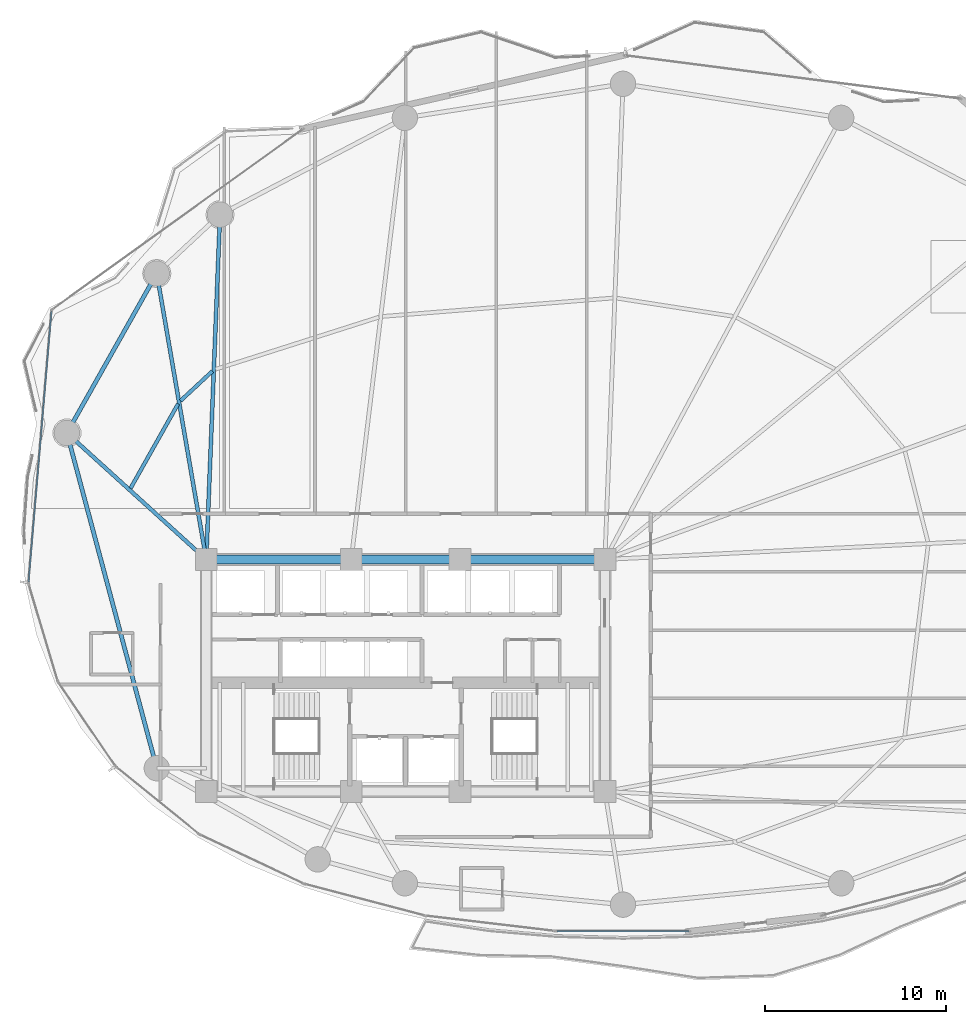
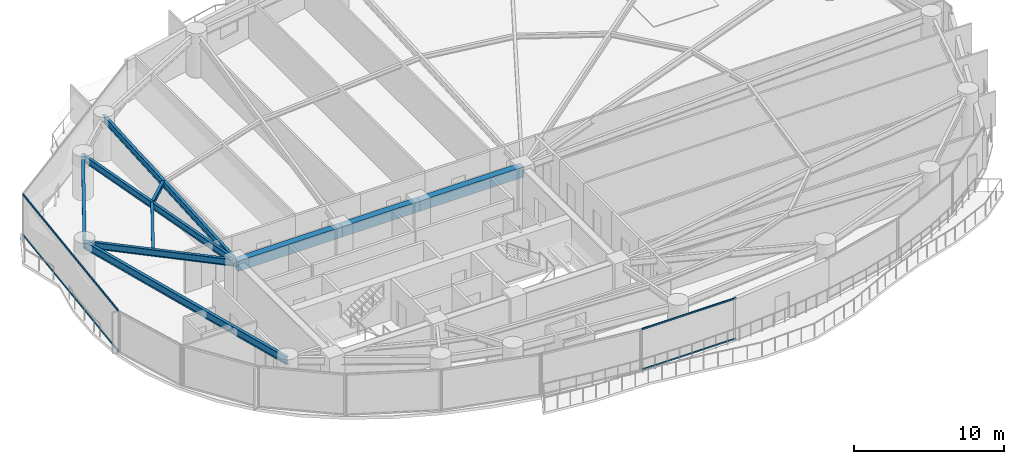
# One storey, part 9 of 30: 10 beams, 4 members, 2 elements without a shape of their own.
"""IFC4 building model written with IfcOpenShell, lengths in metres."""

from ifc_helpers import new_model, si_unit, direction, frame, origin, origin_2d, place, context, subcontext, project, spatial, rectangle, hollow_rectangle, i_section, extrude, material, layer, layer_set, material_profile, profile_set, type_object, element, aggregate, save


model = new_model("IFC4")

# Units and contexts
model_context = context("Model", 3, precision=1e-05, world=origin(), true_north=direction((0.0, 1.0)))
body_context = subcontext(model_context, "Body", "Model", "MODEL_VIEW")
ifc_project = project(units=[si_unit("LENGTHUNIT", "METRE"), si_unit("AREAUNIT", "SQUARE_METRE"), si_unit("VOLUMEUNIT", "CUBIC_METRE"), si_unit("PLANEANGLEUNIT", "RADIAN"), si_unit("MASSUNIT", "GRAM", prefix="KILO")], contexts=[model_context])

# Site, building, storey
site_placement = place(None, origin())
site = spatial("IfcSite", under=ifc_project, at=site_placement, CompositionType="ELEMENT")
building_placement = place(site_placement, origin())
building = spatial("IfcBuilding", under=site, at=building_placement, Name="Kazevale Care Tower and Concert Hall", CompositionType="ELEMENT")
storey_placement = place(building_placement, frame((0.0, 0.0, 70.800048828125)))
storey = spatial("IfcBuildingStorey", under=building, at=storey_placement, Name="L18", CompositionType="ELEMENT", Elevation=70.800048828125)

# Curtain wall, members
ifc_material_1 = material(Name="Aluminium 6063-T6 and Low-E Glass", Category="aluminium")
ifc_layer_1 = layer(ifc_material_1, 0.179931640625)
ifc_layer_set_1 = layer_set([ifc_layer_1], Name="Aluminium 6063-T6 and Low-E Glass")
curtain_wall_type_1 = type_object("IfcCurtainWallType", Name="Waist & Upper Residential Curtain Wall CW-4", PredefinedType="NOTDEFINED", material=ifc_layer_set_1)
curtain_wall_1_placement = place(storey_placement, origin())
curtain_wall_1 = element("IfcCurtainWall", 1, at=curtain_wall_1_placement, inside=storey, type_object=curtain_wall_type_1, Name="cw:L18:f13", PredefinedType="NOTDEFINED")
ifc_material_2 = material(Name="Aluminium 6063-T6", Category="aluminium")
ifc_material_profile_1 = material_profile(ifc_material_2, hollow_rectangle(XDim=0.080078125, YDim=0.139892578125, WallThickness=0.00390625, at=origin_2d()), Name="ALU80x140x4")
ifc_profile_set_1 = profile_set([ifc_material_profile_1], Name="Aluminium 6063-T6")
member_type_1 = type_object("IfcMemberType", Name="CW-4 Transom ALU80x140x4", PredefinedType="USERDEFINED", material=ifc_profile_set_1)
member_1_placement = place(storey_placement, frame((12.19384765625, 35.170654296875, 0.0400390625), z_axis=(0.084408766115, 0.996431211977, 0.0), x_axis=(-0.996431211977, 0.084408766115, 0.0)))
member_1 = element("IfcMember", 2, at=member_1_placement, type_object=member_type_1, Name="CW-4 transom 1.1", ObjectType="TRANSOM", PredefinedType="USERDEFINED", context=body_context, shape_type="SweptSolid", body=[
    extrude(hollow_rectangle(XDim=0.080078125, YDim=0.139892578125, WallThickness=0.00390625, at=origin_2d()), origin(), (0.0, 0.0, 1.0), 14.968017578125),
])
member_2_placement = place(storey_placement, frame((12.19384765625, 35.170654296875, 3.320068359375), z_axis=(0.084408766115, 0.996431211977, 0.0), x_axis=(-0.996431211977, 0.084408766115, 0.0)))
member_2 = element("IfcMember", 3, at=member_2_placement, type_object=member_type_1, Name="CW-4 transom 1.2", ObjectType="TRANSOM", PredefinedType="USERDEFINED", context=body_context, shape_type="SweptSolid", body=[
    extrude(hollow_rectangle(XDim=0.080078125, YDim=0.139892578125, WallThickness=0.00390625, at=origin_2d()), origin(), (0.0, 0.0, 1.0), 14.968017578125),
])
aggregate(curtain_wall_1, [member_1, member_2])

ifc_layer_2 = layer(ifc_material_1, 0.179931640625)
ifc_layer_set_2 = layer_set([ifc_layer_2], Name="Aluminium 6063-T6 and Low-E Glass")
curtain_wall_type_2 = type_object("IfcCurtainWallType", Name="Sheltered Concave Balcony Curtain Wall CW-5", PredefinedType="NOTDEFINED", material=ifc_layer_set_2)
curtain_wall_2_placement = place(storey_placement, origin())
curtain_wall_2 = element("IfcCurtainWall", 4, at=curtain_wall_2_placement, inside=storey, type_object=curtain_wall_type_2, Name="cw:L18:f06", PredefinedType="NOTDEFINED")
ifc_material_profile_2 = material_profile(ifc_material_2, hollow_rectangle(XDim=0.074951171875, YDim=0.1201171875, WallThickness=0.00390625, at=origin_2d()), Name="ALU75x120x4")
ifc_profile_set_2 = profile_set([ifc_material_profile_2], Name="Aluminium 6063-T6")
member_type_2 = type_object("IfcMemberType", Name="CW-5 Transom ALU75x120x4", PredefinedType="USERDEFINED", material=ifc_profile_set_2)
member_3_placement = place(storey_placement, frame((48.632080078125, 15.885986328125, 0.037353515625), z_axis=(-1.0, 0.0, 0.0), x_axis=(0.0, -1.0, 0.0)))
member_3 = element("IfcMember", 5, at=member_3_placement, type_object=member_type_2, Name="CW-5 transom 1.1", ObjectType="TRANSOM", PredefinedType="USERDEFINED", context=body_context, shape_type="SweptSolid", body=[
    extrude(hollow_rectangle(XDim=0.074951171875, YDim=0.1201171875, WallThickness=0.00390625, at=origin_2d()), origin(), (0.0, 0.0, 1.0), 7.26416015625),
])
member_4_placement = place(storey_placement, frame((48.632080078125, 15.885986328125, 3.322509765625), z_axis=(-1.0, 0.0, 0.0), x_axis=(0.0, -1.0, 0.0)))
member_4 = element("IfcMember", 6, at=member_4_placement, type_object=member_type_2, Name="CW-5 transom 1.2", ObjectType="TRANSOM", PredefinedType="USERDEFINED", context=body_context, shape_type="SweptSolid", body=[
    extrude(hollow_rectangle(XDim=0.074951171875, YDim=0.1201171875, WallThickness=0.00390625, at=origin_2d()), origin(), (0.0, 0.0, 1.0), 7.26416015625),
])
aggregate(curtain_wall_2, [member_3, member_4])

# Beams
ifc_material_3 = material(Name="Concrete C60", Category="concrete")
ifc_material_profile_3 = material_profile(ifc_material_3, rectangle(XDim=0.5, YDim=0.85009765625, at=origin_2d()), Name="RC-B500x850")
ifc_profile_set_3 = profile_set([ifc_material_profile_3], Name="Concrete C60")
beam_type_1 = type_object("IfcBeamType", Name="Core Coupling Beam RC500x850", PredefinedType="LINTEL", material=ifc_profile_set_3)
beam_1_placement = place(storey_placement, frame((44.0, 36.39990234375, 2.93505859375), z_axis=(-1.0, 0.0, 0.0), x_axis=(0.0, -1.0, 0.0)))
element("IfcBeam", 7, at=beam_1_placement, inside=storey, type_object=beam_type_1, Name="beam:L18:coretie:5", PredefinedType="LINTEL", context=body_context, shape_type="SweptSolid", body=[
    extrude(rectangle(XDim=0.5, YDim=0.85009765625, at=origin_2d()), origin(), (0.0, 0.0, 1.0), 8.0),
])
beam_2_placement = place(storey_placement, frame((36.0, 36.39990234375, 2.93505859375), z_axis=(-1.0, 0.0, 0.0), x_axis=(0.0, -1.0, 0.0)))
element("IfcBeam", 8, at=beam_2_placement, inside=storey, type_object=beam_type_1, Name="beam:L18:coretie:6", PredefinedType="LINTEL", context=body_context, shape_type="SweptSolid", body=[
    extrude(rectangle(XDim=0.5, YDim=0.85009765625, at=origin_2d()), origin(), (0.0, 0.0, 1.0), 6.0),
])
beam_3_placement = place(storey_placement, frame((30.0, 36.39990234375, 2.93505859375), z_axis=(-1.0, 0.0, 0.0), x_axis=(0.0, -1.0, 0.0)))
element("IfcBeam", 9, at=beam_3_placement, inside=storey, type_object=beam_type_1, Name="beam:L18:coretie:7", PredefinedType="LINTEL", context=body_context, shape_type="SweptSolid", body=[
    extrude(rectangle(XDim=0.5, YDim=0.85009765625, at=origin_2d()), origin(), (0.0, 0.0, 1.0), 8.0),
])
ifc_material_4 = material(Name="Steel ASTM A572 Gr 50", Category="steel")
ifc_material_profile_4 = material_profile(ifc_material_4, i_section(OverallWidth=0.2119140625, OverallDepth=0.5439453125, WebThickness=0.01318359375, FlangeThickness=0.021240234375, at=origin_2d()), Name="W530x123")
ifc_profile_set_4 = profile_set([ifc_material_profile_4], Name="Steel ASTM A572 Gr 50")
beam_type_2 = type_object("IfcBeamType", Name="Radial Floor Girder W530x123", PredefinedType="BEAM", material=ifc_profile_set_4)
beam_4_placement = place(storey_placement, frame((22.0, 36.39990234375, 3.087890625), z_axis=(0.039905581428, 0.999203455044, 0.0), x_axis=(-0.999203455044, 0.039905581428, 0.0)))
element("IfcBeam", 10, at=beam_4_placement, inside=storey, type_object=beam_type_2, Name="beam:L18:rad:07", PredefinedType="BEAM", context=body_context, shape_type="SweptSolid", body=[
    extrude(i_section(OverallWidth=0.2119140625, OverallDepth=0.5439453125, WebThickness=0.01318359375, FlangeThickness=0.021240234375, at=origin_2d()), origin(), (0.0, 0.0, 1.0), 19.045166015625),
])
beam_5_placement = place(storey_placement, frame((22.0, 36.39990234375, 3.087890625), z_axis=(-0.170469986865, 0.985362868987, 0.0), x_axis=(-0.985362868987, -0.170469986865, 0.0)))
element("IfcBeam", 11, at=beam_5_placement, inside=storey, type_object=beam_type_2, Name="beam:L18:rad:08", PredefinedType="BEAM", context=body_context, shape_type="SweptSolid", body=[
    extrude(i_section(OverallWidth=0.2119140625, OverallDepth=0.5439453125, WebThickness=0.01318359375, FlangeThickness=0.021240234375, at=origin_2d()), origin(), (0.0, 0.0, 1.0), 16.014404296875),
])
beam_6_placement = place(storey_placement, frame((22.0, 36.39990234375, 3.087890625), z_axis=(-0.740461073653, 0.672099247436, 0.0), x_axis=(-0.672099247436, -0.740461073653, 0.0)))
element("IfcBeam", 12, at=beam_6_placement, inside=storey, type_object=beam_type_2, Name="beam:L18:rad:09", PredefinedType="BEAM", context=body_context, shape_type="SweptSolid", body=[
    extrude(i_section(OverallWidth=0.2119140625, OverallDepth=0.5439453125, WebThickness=0.01318359375, FlangeThickness=0.021240234375, at=origin_2d()), origin(), (0.0, 0.0, 1.0), 10.38525390625),
])
ifc_material_profile_5 = material_profile(ifc_material_4, i_section(OverallWidth=0.22900390625, OverallDepth=0.612060546875, WebThickness=0.011962890625, FlangeThickness=0.01953125, at=origin_2d()), Name="W610x125")
ifc_profile_set_5 = profile_set([ifc_material_profile_5], Name="Steel ASTM A572 Gr 50")
beam_type_3 = type_object("IfcBeamType", Name="Ring Spandrel Beam W610x125", PredefinedType="SPANDREL", material=ifc_profile_set_5)
beam_7_placement = place(storey_placement, frame((19.27001953125, 52.179931640625, 3.053955078125), z_axis=(-0.491008061092, -0.87115502865, 0.0), x_axis=(0.87115502865, -0.491008061092, 0.0)))
element("IfcBeam", 13, at=beam_7_placement, inside=storey, type_object=beam_type_3, Name="beam:L18:ring:08", PredefinedType="SPANDREL", context=body_context, shape_type="SweptSolid", body=[
    extrude(i_section(OverallWidth=0.22900390625, OverallDepth=0.612060546875, WebThickness=0.011962890625, FlangeThickness=0.01953125, at=origin_2d()), origin(), (0.0, 0.0, 1.0), 10.1015625),
])
beam_8_placement = place(storey_placement, frame((14.31005859375, 43.3798828125, 3.053955078125), z_axis=(0.258960352031, -0.965887952133, 0.0), x_axis=(0.965887952133, 0.258960352031, 0.0)))
element("IfcBeam", 14, at=beam_8_placement, inside=storey, type_object=beam_type_3, Name="beam:L18:ring:09", PredefinedType="SPANDREL", context=body_context, shape_type="SweptSolid", body=[
    extrude(i_section(OverallWidth=0.22900390625, OverallDepth=0.612060546875, WebThickness=0.011962890625, FlangeThickness=0.01953125, at=origin_2d()), origin(), (0.0, 0.0, 1.0), 19.1533203125),
])
ifc_material_profile_6 = material_profile(ifc_material_4, i_section(OverallWidth=0.205078125, OverallDepth=0.35400390625, WebThickness=0.009521484375, FlangeThickness=0.016845703125, at=origin_2d()), Name="W360x79")
ifc_profile_set_6 = profile_set([ifc_material_profile_6], Name="Steel ASTM A572 Gr 50")
beam_type_4 = type_object("IfcBeamType", Name="Secondary Floor Joist W360x79", PredefinedType="JOIST", material=ifc_profile_set_6)
beam_9_placement = place(storey_placement, frame((22.341064453125, 46.794921875, 3.182861328125), z_axis=(-0.73194965424, -0.68135871878, 0.0), x_axis=(0.68135871878, -0.73194965424, 0.0)))
element("IfcBeam", 15, at=beam_9_placement, inside=storey, type_object=beam_type_4, Name="beam:L18:joist:07", PredefinedType="JOIST", context=body_context, shape_type="SweptSolid", body=[
    extrude(i_section(OverallWidth=0.205078125, OverallDepth=0.35400390625, WebThickness=0.009521484375, FlangeThickness=0.016845703125, at=origin_2d()), origin(), (0.0, 0.0, 1.0), 2.412841796875),
])
beam_10_placement = place(storey_placement, frame((20.447021484375, 44.988037109375, 3.182861328125), z_axis=(-0.490956987312, -0.871183813331, 0.0), x_axis=(0.871183813331, -0.490956987312, 0.0)))
element("IfcBeam", 16, at=beam_10_placement, inside=storey, type_object=beam_type_4, Name="beam:L18:joist:08", PredefinedType="JOIST", context=body_context, shape_type="SweptSolid", body=[
    extrude(i_section(OverallWidth=0.205078125, OverallDepth=0.35400390625, WebThickness=0.009521484375, FlangeThickness=0.016845703125, at=origin_2d()), origin(), (0.0, 0.0, 1.0), 5.3466796875),
])

save(model, "model.ifc")
